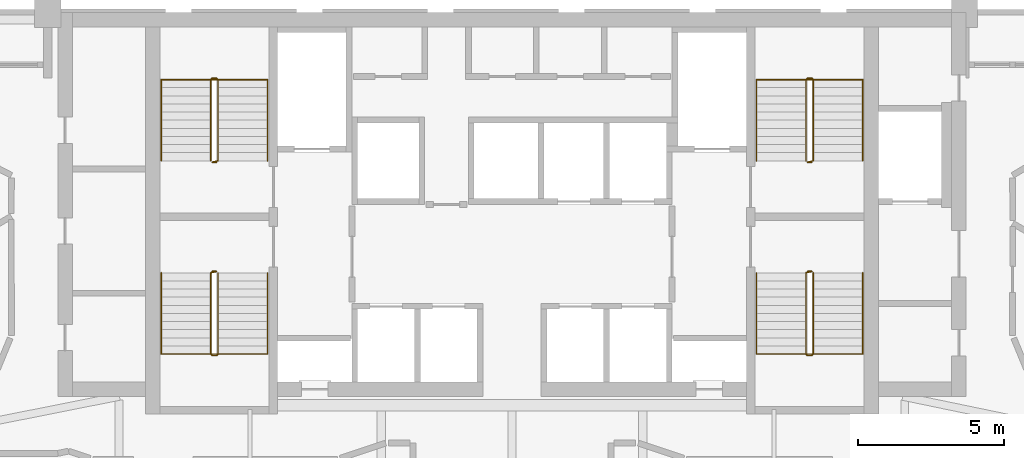
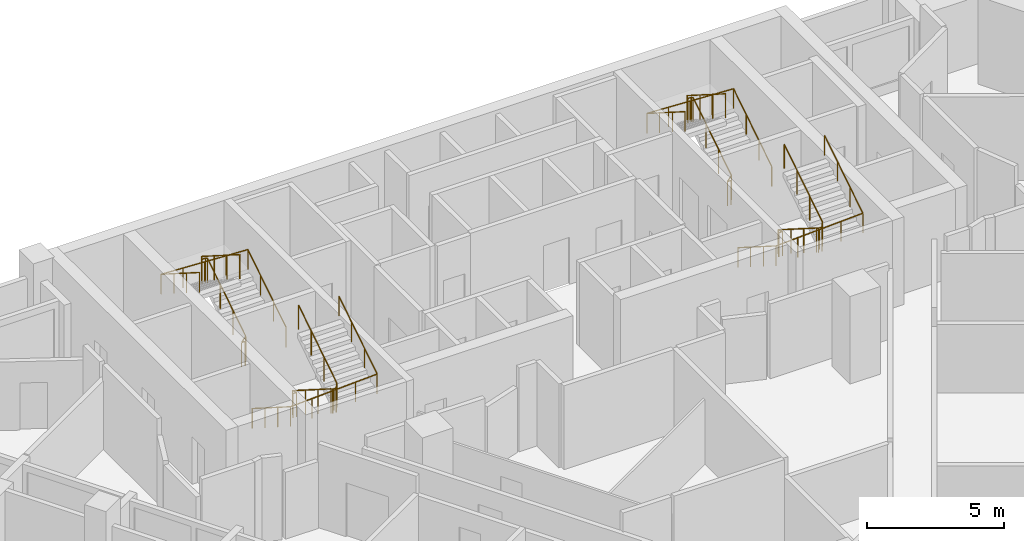
# One storey, part 10 of 10: 8 railings.
"""IFC4 building model written with IfcOpenShell, lengths in metres."""

from ifc_helpers import new_model, si_unit, direction, frame, origin, origin_2d, place, context, subcontext, project, spatial, circle, extrude, material, type_object, element, save


model = new_model("IFC4")

# Units and contexts
model_context = context("Model", 3, precision=1e-05, world=origin(), true_north=direction((0.0, 1.0)))
body_context = subcontext(model_context, "Body", "Model", "MODEL_VIEW")
ifc_project = project(units=[si_unit("LENGTHUNIT", "METRE"), si_unit("AREAUNIT", "SQUARE_METRE"), si_unit("VOLUMEUNIT", "CUBIC_METRE"), si_unit("PLANEANGLEUNIT", "RADIAN"), si_unit("MASSUNIT", "GRAM", prefix="KILO")], contexts=[model_context])

# Site, building, storey
site_placement = place(None, origin())
site = spatial("IfcSite", under=ifc_project, at=site_placement, CompositionType="ELEMENT")
building_placement = place(site_placement, origin())
building = spatial("IfcBuilding", under=site, at=building_placement, Name="Calabash Gate Tower", CompositionType="ELEMENT")
storey_placement = place(building_placement, frame((0.0, 0.0, 144.60009765625)))
storey = spatial("IfcBuildingStorey", under=building, at=storey_placement, Name="L33", CompositionType="ELEMENT", Elevation=144.60009765625)

# Railings
ifc_material_1 = material(Name="Black powder-coated steel balusters", Category="steel")
railing_type_1 = type_object("IfcRailingType", Name="Stair guard RL1100", PredefinedType="GUARDRAIL", material=ifc_material_1)
railing_1_placement = place(storey_placement, frame((-10.14990234375, 13.902587890625, 0.0)))
element("IfcRailing", 1, at=railing_1_placement, inside=storey, type_object=railing_type_1, Name="L33 ST1 stair guard 1", PredefinedType="GUARDRAIL", context=body_context, shape_type="SweptSolid", body=[
    extrude(circle(Radius=0.02392578125, at=origin_2d()), frame((0.0, 0.0, 1.076171875), z_axis=(-1.0, 0.0, 0.0), x_axis=(0.0, -1.0, 0.0)), (0.0, 0.0, 1.0), 0.150146484375),
    extrude(circle(Radius=0.02392578125, at=origin_2d()), frame((-0.150146484375, 0.0, 1.076171875), z_axis=(0.735524641326, 0.184105679453, 0.652003528208), x_axis=(-0.242814311512, 0.970072785993, 0.0)), (0.0, 0.0, 1.0), 0.271728515625),
    extrude(circle(Radius=0.02392578125, at=origin_2d()), frame((0.0498046875, 0.050048828125, 1.25341796875), z_axis=(0.0, 0.844041424197, 0.536277982245), x_axis=(-1.0, 0.0, 0.0)), (0.0, 0.0, 1.0), 3.3056640625),
    extrude(circle(Radius=0.02392578125, at=origin_2d()), frame((0.0498046875, 2.840087890625, 3.02587890625), z_axis=(-0.707106781187, 0.707106781187, 0.0), x_axis=(-0.707106781187, -0.707106781187, 0.0)), (0.0, 0.0, 1.0), 0.0703125),
    extrude(circle(Radius=0.02392578125, at=origin_2d()), frame((0.0, 2.889892578125, 3.02587890625), z_axis=(-1.0, 0.0, 0.0), x_axis=(0.0, -1.0, 0.0)), (0.0, 0.0, 1.0), 0.150146484375),
    extrude(circle(Radius=0.02392578125, at=origin_2d()), frame((-0.150146484375, 2.889892578125, 3.02587890625), z_axis=(-0.262321481514, -0.261041864531, 0.929001929653), x_axis=(0.705375805398, -0.708833529934, 0.0)), (0.0, 0.0, 1.0), 0.190673828125),
    extrude(circle(Radius=0.02392578125, at=origin_2d()), frame((-0.2001953125, 2.840087890625, 3.203125), z_axis=(0.0, -0.844041424197, 0.536277982245), x_axis=(1.0, 0.0, 0.0)), (0.0, 0.0, 1.0), 3.3056640625),
    extrude(circle(Radius=0.02099609375, at=origin_2d()), origin(), (0.0, 0.0, 1.0), 1.052001953125),
    extrude(circle(Radius=0.02099609375, at=origin_2d()), frame((-0.150146484375, 0.0, 0.0)), (0.0, 0.0, 1.0), 1.052001953125),
    extrude(circle(Radius=0.02099609375, at=origin_2d()), frame((0.0498046875, 0.050048828125, 0.17724609375)), (0.0, 0.0, 1.0), 1.052001953125),
    extrude(circle(Radius=0.02099609375, at=origin_2d()), frame((0.0498046875, 0.97998046875, 0.76806640625)), (0.0, 0.0, 1.0), 1.052001953125),
    extrude(circle(Radius=0.02099609375, at=origin_2d()), frame((0.0498046875, 1.91015625, 1.359130859375)), (0.0, 0.0, 1.0), 1.052001953125),
    extrude(circle(Radius=0.02099609375, at=origin_2d()), frame((0.0498046875, 2.840087890625, 1.949951171875)), (0.0, 0.0, 1.0), 1.052001953125),
    extrude(circle(Radius=0.02099609375, at=origin_2d()), frame((0.0, 2.889892578125, 1.949951171875)), (0.0, 0.0, 1.0), 1.052001953125),
    extrude(circle(Radius=0.02099609375, at=origin_2d()), frame((-0.150146484375, 2.889892578125, 1.949951171875)), (0.0, 0.0, 1.0), 1.052001953125),
    extrude(circle(Radius=0.02099609375, at=origin_2d()), frame((-0.2001953125, 2.840087890625, 2.127197265625)), (0.0, 0.0, 1.0), 1.052001953125),
    extrude(circle(Radius=0.02099609375, at=origin_2d()), frame((-0.2001953125, 1.91015625, 2.718017578125)), (0.0, 0.0, 1.0), 1.052001953125),
    extrude(circle(Radius=0.02099609375, at=origin_2d()), frame((-0.2001953125, 0.97998046875, 3.30908203125)), (0.0, 0.0, 1.0), 1.052001953125),
    extrude(circle(Radius=0.02099609375, at=origin_2d()), frame((-0.2001953125, 0.050048828125, 3.89990234375)), (0.0, 0.0, 1.0), 1.052001953125),
])
railing_2_placement = place(storey_placement, frame((-10.300048828125, 10.152587890625, 0.0)))
element("IfcRailing", 2, at=railing_2_placement, inside=storey, type_object=railing_type_1, Name="L33 ST2 stair guard 1", PredefinedType="GUARDRAIL", context=body_context, shape_type="SweptSolid", body=[
    extrude(circle(Radius=0.02392578125, at=origin_2d()), frame((0.0, 0.0, 1.076171875), z_axis=(1.0, 0.0, 0.0), x_axis=(0.0, 1.0, 0.0)), (0.0, 0.0, 1.0), 0.150146484375),
    extrude(circle(Radius=0.02392578125, at=origin_2d()), frame((0.150146484375, 0.0, 1.076171875), z_axis=(-0.735936453418, -0.183984113355, 0.651573006319), x_axis=(0.242535625036, -0.970142500145, 0.0)), (0.0, 0.0, 1.0), 0.27197265625),
    extrude(circle(Radius=0.02392578125, at=origin_2d()), frame((-0.050048828125, -0.050048828125, 1.25341796875), z_axis=(0.0, -0.844041424197, 0.536277982245), x_axis=(1.0, 0.0, 0.0)), (0.0, 0.0, 1.0), 3.3056640625),
    extrude(circle(Radius=0.02392578125, at=origin_2d()), frame((-0.050048828125, -2.840087890625, 3.02587890625), z_axis=(0.708833529934, -0.705375805398, 0.0), x_axis=(0.705375805398, 0.708833529934, 0.0)), (0.0, 0.0, 1.0), 0.070556640625),
    extrude(circle(Radius=0.02392578125, at=origin_2d()), frame((0.0, -2.889892578125, 3.02587890625), z_axis=(1.0, 0.0, 0.0), x_axis=(0.0, 1.0, 0.0)), (0.0, 0.0, 1.0), 0.150146484375),
    extrude(circle(Radius=0.02392578125, at=origin_2d()), frame((0.150146484375, -2.889892578125, 3.02587890625), z_axis=(0.261129318932, 0.261129318932, 0.929313164433), x_axis=(-0.707106781187, 0.707106781187, 0.0)), (0.0, 0.0, 1.0), 0.190673828125),
    extrude(circle(Radius=0.02392578125, at=origin_2d()), frame((0.199951171875, -2.840087890625, 3.203125), z_axis=(0.0, 0.844041424197, 0.536277982245), x_axis=(-1.0, 0.0, 0.0)), (0.0, 0.0, 1.0), 3.3056640625),
    extrude(circle(Radius=0.02099609375, at=origin_2d()), origin(), (0.0, 0.0, 1.0), 1.052001953125),
    extrude(circle(Radius=0.02099609375, at=origin_2d()), frame((0.150146484375, 0.0, 0.0)), (0.0, 0.0, 1.0), 1.052001953125),
    extrude(circle(Radius=0.02099609375, at=origin_2d()), frame((-0.050048828125, -0.050048828125, 0.17724609375)), (0.0, 0.0, 1.0), 1.052001953125),
    extrude(circle(Radius=0.02099609375, at=origin_2d()), frame((-0.050048828125, -0.97998046875, 0.76806640625)), (0.0, 0.0, 1.0), 1.052001953125),
    extrude(circle(Radius=0.02099609375, at=origin_2d()), frame((-0.050048828125, -1.91015625, 1.359130859375)), (0.0, 0.0, 1.0), 1.052001953125),
    extrude(circle(Radius=0.02099609375, at=origin_2d()), frame((-0.050048828125, -2.840087890625, 1.949951171875)), (0.0, 0.0, 1.0), 1.052001953125),
    extrude(circle(Radius=0.02099609375, at=origin_2d()), frame((0.0, -2.889892578125, 1.949951171875)), (0.0, 0.0, 1.0), 1.052001953125),
    extrude(circle(Radius=0.02099609375, at=origin_2d()), frame((0.150146484375, -2.889892578125, 1.949951171875)), (0.0, 0.0, 1.0), 1.052001953125),
    extrude(circle(Radius=0.02099609375, at=origin_2d()), frame((0.199951171875, -2.840087890625, 2.127197265625)), (0.0, 0.0, 1.0), 1.052001953125),
    extrude(circle(Radius=0.02099609375, at=origin_2d()), frame((0.199951171875, -1.91015625, 2.718017578125)), (0.0, 0.0, 1.0), 1.052001953125),
    extrude(circle(Radius=0.02099609375, at=origin_2d()), frame((0.199951171875, -0.97998046875, 3.30908203125)), (0.0, 0.0, 1.0), 1.052001953125),
    extrude(circle(Radius=0.02099609375, at=origin_2d()), frame((0.199951171875, -0.050048828125, 3.89990234375)), (0.0, 0.0, 1.0), 1.052001953125),
])
railing_3_placement = place(storey_placement, frame((10.300048828125, 13.902587890625, 0.0)))
element("IfcRailing", 3, at=railing_3_placement, inside=storey, type_object=railing_type_1, Name="L33 ST3 stair guard 1", PredefinedType="GUARDRAIL", context=body_context, shape_type="SweptSolid", body=[
    extrude(circle(Radius=0.02392578125, at=origin_2d()), frame((0.0, 0.0, 1.076171875), z_axis=(-1.0, 0.0, 0.0), x_axis=(0.0, -1.0, 0.0)), (0.0, 0.0, 1.0), 0.150146484375),
    extrude(circle(Radius=0.02392578125, at=origin_2d()), frame((-0.150146484375, 0.0, 1.076171875), z_axis=(0.735936453418, 0.183984113355, 0.651573006319), x_axis=(-0.242535625036, 0.970142500145, 0.0)), (0.0, 0.0, 1.0), 0.27197265625),
    extrude(circle(Radius=0.02392578125, at=origin_2d()), frame((0.050048828125, 0.050048828125, 1.25341796875), z_axis=(0.0, 0.844041424197, 0.536277982245), x_axis=(-1.0, 0.0, 0.0)), (0.0, 0.0, 1.0), 3.3056640625),
    extrude(circle(Radius=0.02392578125, at=origin_2d()), frame((0.050048828125, 2.840087890625, 3.02587890625), z_axis=(-0.708833529934, 0.705375805398, 0.0), x_axis=(-0.705375805398, -0.708833529934, 0.0)), (0.0, 0.0, 1.0), 0.070556640625),
    extrude(circle(Radius=0.02392578125, at=origin_2d()), frame((0.0, 2.889892578125, 3.02587890625), z_axis=(-1.0, 0.0, 0.0), x_axis=(0.0, -1.0, 0.0)), (0.0, 0.0, 1.0), 0.150146484375),
    extrude(circle(Radius=0.02392578125, at=origin_2d()), frame((-0.150146484375, 2.889892578125, 3.02587890625), z_axis=(-0.261129318932, -0.261129318932, 0.929313164433), x_axis=(0.707106781187, -0.707106781187, 0.0)), (0.0, 0.0, 1.0), 0.190673828125),
    extrude(circle(Radius=0.02392578125, at=origin_2d()), frame((-0.199951171875, 2.840087890625, 3.203125), z_axis=(0.0, -0.844041424197, 0.536277982245), x_axis=(1.0, 0.0, 0.0)), (0.0, 0.0, 1.0), 3.3056640625),
    extrude(circle(Radius=0.02099609375, at=origin_2d()), origin(), (0.0, 0.0, 1.0), 1.052001953125),
    extrude(circle(Radius=0.02099609375, at=origin_2d()), frame((-0.150146484375, 0.0, 0.0)), (0.0, 0.0, 1.0), 1.052001953125),
    extrude(circle(Radius=0.02099609375, at=origin_2d()), frame((0.050048828125, 0.050048828125, 0.17724609375)), (0.0, 0.0, 1.0), 1.052001953125),
    extrude(circle(Radius=0.02099609375, at=origin_2d()), frame((0.050048828125, 0.97998046875, 0.76806640625)), (0.0, 0.0, 1.0), 1.052001953125),
    extrude(circle(Radius=0.02099609375, at=origin_2d()), frame((0.050048828125, 1.91015625, 1.359130859375)), (0.0, 0.0, 1.0), 1.052001953125),
    extrude(circle(Radius=0.02099609375, at=origin_2d()), frame((0.050048828125, 2.840087890625, 1.949951171875)), (0.0, 0.0, 1.0), 1.052001953125),
    extrude(circle(Radius=0.02099609375, at=origin_2d()), frame((0.0, 2.889892578125, 1.949951171875)), (0.0, 0.0, 1.0), 1.052001953125),
    extrude(circle(Radius=0.02099609375, at=origin_2d()), frame((-0.150146484375, 2.889892578125, 1.949951171875)), (0.0, 0.0, 1.0), 1.052001953125),
    extrude(circle(Radius=0.02099609375, at=origin_2d()), frame((-0.199951171875, 2.840087890625, 2.127197265625)), (0.0, 0.0, 1.0), 1.052001953125),
    extrude(circle(Radius=0.02099609375, at=origin_2d()), frame((-0.199951171875, 1.91015625, 2.718017578125)), (0.0, 0.0, 1.0), 1.052001953125),
    extrude(circle(Radius=0.02099609375, at=origin_2d()), frame((-0.199951171875, 0.97998046875, 3.30908203125)), (0.0, 0.0, 1.0), 1.052001953125),
    extrude(circle(Radius=0.02099609375, at=origin_2d()), frame((-0.199951171875, 0.050048828125, 3.89990234375)), (0.0, 0.0, 1.0), 1.052001953125),
])
railing_4_placement = place(storey_placement, frame((10.14990234375, 10.152587890625, 0.0)))
element("IfcRailing", 4, at=railing_4_placement, inside=storey, type_object=railing_type_1, Name="L33 ST4 stair guard 1", PredefinedType="GUARDRAIL", context=body_context, shape_type="SweptSolid", body=[
    extrude(circle(Radius=0.02392578125, at=origin_2d()), frame((0.0, 0.0, 1.076171875), z_axis=(1.0, 0.0, 0.0), x_axis=(0.0, 1.0, 0.0)), (0.0, 0.0, 1.0), 0.150146484375),
    extrude(circle(Radius=0.02392578125, at=origin_2d()), frame((0.150146484375, 0.0, 1.076171875), z_axis=(-0.735524641326, -0.184105679453, 0.652003528208), x_axis=(0.242814311512, -0.970072785993, 0.0)), (0.0, 0.0, 1.0), 0.271728515625),
    extrude(circle(Radius=0.02392578125, at=origin_2d()), frame((-0.0498046875, -0.050048828125, 1.25341796875), z_axis=(0.0, -0.844041424197, 0.536277982245), x_axis=(1.0, 0.0, 0.0)), (0.0, 0.0, 1.0), 3.3056640625),
    extrude(circle(Radius=0.02392578125, at=origin_2d()), frame((-0.0498046875, -2.840087890625, 3.02587890625), z_axis=(0.707106781187, -0.707106781187, 0.0), x_axis=(0.707106781187, 0.707106781187, 0.0)), (0.0, 0.0, 1.0), 0.0703125),
    extrude(circle(Radius=0.02392578125, at=origin_2d()), frame((0.0, -2.889892578125, 3.02587890625), z_axis=(1.0, 0.0, 0.0), x_axis=(0.0, 1.0, 0.0)), (0.0, 0.0, 1.0), 0.150146484375),
    extrude(circle(Radius=0.02392578125, at=origin_2d()), frame((0.150146484375, -2.889892578125, 3.02587890625), z_axis=(0.262321481514, 0.261041864531, 0.929001929653), x_axis=(-0.705375805398, 0.708833529934, 0.0)), (0.0, 0.0, 1.0), 0.190673828125),
    extrude(circle(Radius=0.02392578125, at=origin_2d()), frame((0.2001953125, -2.840087890625, 3.203125), z_axis=(0.0, 0.844041424197, 0.536277982245), x_axis=(-1.0, 0.0, 0.0)), (0.0, 0.0, 1.0), 3.3056640625),
    extrude(circle(Radius=0.02099609375, at=origin_2d()), origin(), (0.0, 0.0, 1.0), 1.052001953125),
    extrude(circle(Radius=0.02099609375, at=origin_2d()), frame((0.150146484375, 0.0, 0.0)), (0.0, 0.0, 1.0), 1.052001953125),
    extrude(circle(Radius=0.02099609375, at=origin_2d()), frame((-0.0498046875, -0.050048828125, 0.17724609375)), (0.0, 0.0, 1.0), 1.052001953125),
    extrude(circle(Radius=0.02099609375, at=origin_2d()), frame((-0.0498046875, -0.97998046875, 0.76806640625)), (0.0, 0.0, 1.0), 1.052001953125),
    extrude(circle(Radius=0.02099609375, at=origin_2d()), frame((-0.0498046875, -1.91015625, 1.359130859375)), (0.0, 0.0, 1.0), 1.052001953125),
    extrude(circle(Radius=0.02099609375, at=origin_2d()), frame((-0.0498046875, -2.840087890625, 1.949951171875)), (0.0, 0.0, 1.0), 1.052001953125),
    extrude(circle(Radius=0.02099609375, at=origin_2d()), frame((0.0, -2.889892578125, 1.949951171875)), (0.0, 0.0, 1.0), 1.052001953125),
    extrude(circle(Radius=0.02099609375, at=origin_2d()), frame((0.150146484375, -2.889892578125, 1.949951171875)), (0.0, 0.0, 1.0), 1.052001953125),
    extrude(circle(Radius=0.02099609375, at=origin_2d()), frame((0.2001953125, -2.840087890625, 2.127197265625)), (0.0, 0.0, 1.0), 1.052001953125),
    extrude(circle(Radius=0.02099609375, at=origin_2d()), frame((0.2001953125, -1.91015625, 2.718017578125)), (0.0, 0.0, 1.0), 1.052001953125),
    extrude(circle(Radius=0.02099609375, at=origin_2d()), frame((0.2001953125, -0.97998046875, 3.30908203125)), (0.0, 0.0, 1.0), 1.052001953125),
    extrude(circle(Radius=0.02099609375, at=origin_2d()), frame((0.2001953125, -0.050048828125, 3.89990234375)), (0.0, 0.0, 1.0), 1.052001953125),
])
ifc_material_2 = material(Name="Black powder-coated steel tube 48 mm", Category="steel")
railing_type_2 = type_object("IfcRailingType", Name="Stair handrail RL900", PredefinedType="HANDRAIL", material=ifc_material_2)
railing_5_placement = place(storey_placement, frame((-8.39990234375, 13.95263671875, 0.17724609375)))
element("IfcRailing", 5, at=railing_5_placement, inside=storey, type_object=railing_type_2, Name="L33 ST1 stair handrail 1", PredefinedType="HANDRAIL", context=body_context, shape_type="SweptSolid", body=[
    extrude(circle(Radius=0.02392578125, at=origin_2d()), frame((0.0, 0.0, 0.8759765625), z_axis=(0.0, 0.844041424197, 0.536277982245), x_axis=(-1.0, 0.0, 0.0)), (0.0, 0.0, 1.0), 3.3056640625),
    extrude(circle(Radius=0.02392578125, at=origin_2d()), frame((0.0, 2.7900390625, 2.6484375), z_axis=(-0.998823110844, 0.0, 0.048501476722), x_axis=(0.0, -1.0, 0.0)), (0.0, 0.0, 1.0), 3.654541015625),
    extrude(circle(Radius=0.02392578125, at=origin_2d()), frame((-3.650146484375, 2.7900390625, 2.82568359375), z_axis=(0.0, -0.844041424197, 0.536277982245), x_axis=(1.0, 0.0, 0.0)), (0.0, 0.0, 1.0), 3.3056640625),
    extrude(circle(Radius=0.02099609375, at=origin_2d()), origin(), (0.0, 0.0, 1.0), 0.851806640625),
    extrude(circle(Radius=0.02099609375, at=origin_2d()), frame((0.0, 0.929931640625, 0.5908203125)), (0.0, 0.0, 1.0), 0.851806640625),
    extrude(circle(Radius=0.02099609375, at=origin_2d()), frame((0.0, 1.860107421875, 1.181884765625)), (0.0, 0.0, 1.0), 0.851806640625),
    extrude(circle(Radius=0.02099609375, at=origin_2d()), frame((0.0, 2.7900390625, 1.772705078125)), (0.0, 0.0, 1.0), 0.851806640625),
    extrude(circle(Radius=0.02099609375, at=origin_2d()), frame((-0.91259765625, 2.7900390625, 1.81689453125)), (0.0, 0.0, 1.0), 0.851806640625),
    extrude(circle(Radius=0.02099609375, at=origin_2d()), frame((-1.8251953125, 2.7900390625, 1.861328125)), (0.0, 0.0, 1.0), 0.851806640625),
    extrude(circle(Radius=0.02099609375, at=origin_2d()), frame((-2.737548828125, 2.7900390625, 1.90576171875)), (0.0, 0.0, 1.0), 0.851806640625),
    extrude(circle(Radius=0.02099609375, at=origin_2d()), frame((-3.650146484375, 2.7900390625, 1.949951171875)), (0.0, 0.0, 1.0), 0.851806640625),
    extrude(circle(Radius=0.02099609375, at=origin_2d()), frame((-3.650146484375, 1.860107421875, 2.540771484375)), (0.0, 0.0, 1.0), 0.851806640625),
    extrude(circle(Radius=0.02099609375, at=origin_2d()), frame((-3.650146484375, 0.929931640625, 3.1318359375)), (0.0, 0.0, 1.0), 0.851806640625),
    extrude(circle(Radius=0.02099609375, at=origin_2d()), frame((-3.650146484375, 0.0, 3.72265625)), (0.0, 0.0, 1.0), 0.851806640625),
])
railing_6_placement = place(storey_placement, frame((-12.050048828125, 10.1025390625, 0.17724609375)))
element("IfcRailing", 6, at=railing_6_placement, inside=storey, type_object=railing_type_2, Name="L33 ST2 stair handrail 1", PredefinedType="HANDRAIL", context=body_context, shape_type="SweptSolid", body=[
    extrude(circle(Radius=0.02392578125, at=origin_2d()), frame((0.0, 0.0, 0.8759765625), z_axis=(0.0, -0.844041424197, 0.536277982245), x_axis=(1.0, 0.0, 0.0)), (0.0, 0.0, 1.0), 3.3056640625),
    extrude(circle(Radius=0.02392578125, at=origin_2d()), frame((0.0, -2.7900390625, 2.6484375), z_axis=(0.998823110844, 0.0, 0.048501476722), x_axis=(0.0, 1.0, 0.0)), (0.0, 0.0, 1.0), 3.654541015625),
    extrude(circle(Radius=0.02392578125, at=origin_2d()), frame((3.650146484375, -2.7900390625, 2.82568359375), z_axis=(0.0, 0.844041424197, 0.536277982245), x_axis=(-1.0, 0.0, 0.0)), (0.0, 0.0, 1.0), 3.3056640625),
    extrude(circle(Radius=0.02099609375, at=origin_2d()), origin(), (0.0, 0.0, 1.0), 0.851806640625),
    extrude(circle(Radius=0.02099609375, at=origin_2d()), frame((0.0, -0.929931640625, 0.5908203125)), (0.0, 0.0, 1.0), 0.851806640625),
    extrude(circle(Radius=0.02099609375, at=origin_2d()), frame((0.0, -1.860107421875, 1.181884765625)), (0.0, 0.0, 1.0), 0.851806640625),
    extrude(circle(Radius=0.02099609375, at=origin_2d()), frame((0.0, -2.7900390625, 1.772705078125)), (0.0, 0.0, 1.0), 0.851806640625),
    extrude(circle(Radius=0.02099609375, at=origin_2d()), frame((0.91259765625, -2.7900390625, 1.81689453125)), (0.0, 0.0, 1.0), 0.851806640625),
    extrude(circle(Radius=0.02099609375, at=origin_2d()), frame((1.8251953125, -2.7900390625, 1.861328125)), (0.0, 0.0, 1.0), 0.851806640625),
    extrude(circle(Radius=0.02099609375, at=origin_2d()), frame((2.737548828125, -2.7900390625, 1.90576171875)), (0.0, 0.0, 1.0), 0.851806640625),
    extrude(circle(Radius=0.02099609375, at=origin_2d()), frame((3.650146484375, -2.7900390625, 1.949951171875)), (0.0, 0.0, 1.0), 0.851806640625),
    extrude(circle(Radius=0.02099609375, at=origin_2d()), frame((3.650146484375, -1.860107421875, 2.540771484375)), (0.0, 0.0, 1.0), 0.851806640625),
    extrude(circle(Radius=0.02099609375, at=origin_2d()), frame((3.650146484375, -0.929931640625, 3.1318359375)), (0.0, 0.0, 1.0), 0.851806640625),
    extrude(circle(Radius=0.02099609375, at=origin_2d()), frame((3.650146484375, 0.0, 3.72265625)), (0.0, 0.0, 1.0), 0.851806640625),
])
railing_7_placement = place(storey_placement, frame((12.050048828125, 13.95263671875, 0.17724609375)))
element("IfcRailing", 7, at=railing_7_placement, inside=storey, type_object=railing_type_2, Name="L33 ST3 stair handrail 1", PredefinedType="HANDRAIL", context=body_context, shape_type="SweptSolid", body=[
    extrude(circle(Radius=0.02392578125, at=origin_2d()), frame((0.0, 0.0, 0.8759765625), z_axis=(0.0, 0.844041424197, 0.536277982245), x_axis=(-1.0, 0.0, 0.0)), (0.0, 0.0, 1.0), 3.3056640625),
    extrude(circle(Radius=0.02392578125, at=origin_2d()), frame((0.0, 2.7900390625, 2.6484375), z_axis=(-0.998823110844, 0.0, 0.048501476722), x_axis=(0.0, -1.0, 0.0)), (0.0, 0.0, 1.0), 3.654541015625),
    extrude(circle(Radius=0.02392578125, at=origin_2d()), frame((-3.650146484375, 2.7900390625, 2.82568359375), z_axis=(0.0, -0.844041424197, 0.536277982245), x_axis=(1.0, 0.0, 0.0)), (0.0, 0.0, 1.0), 3.3056640625),
    extrude(circle(Radius=0.02099609375, at=origin_2d()), origin(), (0.0, 0.0, 1.0), 0.851806640625),
    extrude(circle(Radius=0.02099609375, at=origin_2d()), frame((0.0, 0.929931640625, 0.5908203125)), (0.0, 0.0, 1.0), 0.851806640625),
    extrude(circle(Radius=0.02099609375, at=origin_2d()), frame((0.0, 1.860107421875, 1.181884765625)), (0.0, 0.0, 1.0), 0.851806640625),
    extrude(circle(Radius=0.02099609375, at=origin_2d()), frame((0.0, 2.7900390625, 1.772705078125)), (0.0, 0.0, 1.0), 0.851806640625),
    extrude(circle(Radius=0.02099609375, at=origin_2d()), frame((-0.91259765625, 2.7900390625, 1.81689453125)), (0.0, 0.0, 1.0), 0.851806640625),
    extrude(circle(Radius=0.02099609375, at=origin_2d()), frame((-1.8251953125, 2.7900390625, 1.861328125)), (0.0, 0.0, 1.0), 0.851806640625),
    extrude(circle(Radius=0.02099609375, at=origin_2d()), frame((-2.737548828125, 2.7900390625, 1.90576171875)), (0.0, 0.0, 1.0), 0.851806640625),
    extrude(circle(Radius=0.02099609375, at=origin_2d()), frame((-3.650146484375, 2.7900390625, 1.949951171875)), (0.0, 0.0, 1.0), 0.851806640625),
    extrude(circle(Radius=0.02099609375, at=origin_2d()), frame((-3.650146484375, 1.860107421875, 2.540771484375)), (0.0, 0.0, 1.0), 0.851806640625),
    extrude(circle(Radius=0.02099609375, at=origin_2d()), frame((-3.650146484375, 0.929931640625, 3.1318359375)), (0.0, 0.0, 1.0), 0.851806640625),
    extrude(circle(Radius=0.02099609375, at=origin_2d()), frame((-3.650146484375, 0.0, 3.72265625)), (0.0, 0.0, 1.0), 0.851806640625),
])
railing_8_placement = place(storey_placement, frame((8.39990234375, 10.1025390625, 0.17724609375)))
element("IfcRailing", 8, at=railing_8_placement, inside=storey, type_object=railing_type_2, Name="L33 ST4 stair handrail 1", PredefinedType="HANDRAIL", context=body_context, shape_type="SweptSolid", body=[
    extrude(circle(Radius=0.02392578125, at=origin_2d()), frame((0.0, 0.0, 0.8759765625), z_axis=(0.0, -0.844041424197, 0.536277982245), x_axis=(1.0, 0.0, 0.0)), (0.0, 0.0, 1.0), 3.3056640625),
    extrude(circle(Radius=0.02392578125, at=origin_2d()), frame((0.0, -2.7900390625, 2.6484375), z_axis=(0.998823110844, 0.0, 0.048501476722), x_axis=(0.0, 1.0, 0.0)), (0.0, 0.0, 1.0), 3.654541015625),
    extrude(circle(Radius=0.02392578125, at=origin_2d()), frame((3.650146484375, -2.7900390625, 2.82568359375), z_axis=(0.0, 0.844041424197, 0.536277982245), x_axis=(-1.0, 0.0, 0.0)), (0.0, 0.0, 1.0), 3.3056640625),
    extrude(circle(Radius=0.02099609375, at=origin_2d()), origin(), (0.0, 0.0, 1.0), 0.851806640625),
    extrude(circle(Radius=0.02099609375, at=origin_2d()), frame((0.0, -0.929931640625, 0.5908203125)), (0.0, 0.0, 1.0), 0.851806640625),
    extrude(circle(Radius=0.02099609375, at=origin_2d()), frame((0.0, -1.860107421875, 1.181884765625)), (0.0, 0.0, 1.0), 0.851806640625),
    extrude(circle(Radius=0.02099609375, at=origin_2d()), frame((0.0, -2.7900390625, 1.772705078125)), (0.0, 0.0, 1.0), 0.851806640625),
    extrude(circle(Radius=0.02099609375, at=origin_2d()), frame((0.91259765625, -2.7900390625, 1.81689453125)), (0.0, 0.0, 1.0), 0.851806640625),
    extrude(circle(Radius=0.02099609375, at=origin_2d()), frame((1.8251953125, -2.7900390625, 1.861328125)), (0.0, 0.0, 1.0), 0.851806640625),
    extrude(circle(Radius=0.02099609375, at=origin_2d()), frame((2.737548828125, -2.7900390625, 1.90576171875)), (0.0, 0.0, 1.0), 0.851806640625),
    extrude(circle(Radius=0.02099609375, at=origin_2d()), frame((3.650146484375, -2.7900390625, 1.949951171875)), (0.0, 0.0, 1.0), 0.851806640625),
    extrude(circle(Radius=0.02099609375, at=origin_2d()), frame((3.650146484375, -1.860107421875, 2.540771484375)), (0.0, 0.0, 1.0), 0.851806640625),
    extrude(circle(Radius=0.02099609375, at=origin_2d()), frame((3.650146484375, -0.929931640625, 3.1318359375)), (0.0, 0.0, 1.0), 0.851806640625),
    extrude(circle(Radius=0.02099609375, at=origin_2d()), frame((3.650146484375, 0.0, 3.72265625)), (0.0, 0.0, 1.0), 0.851806640625),
])

save(model, "model.ifc")
